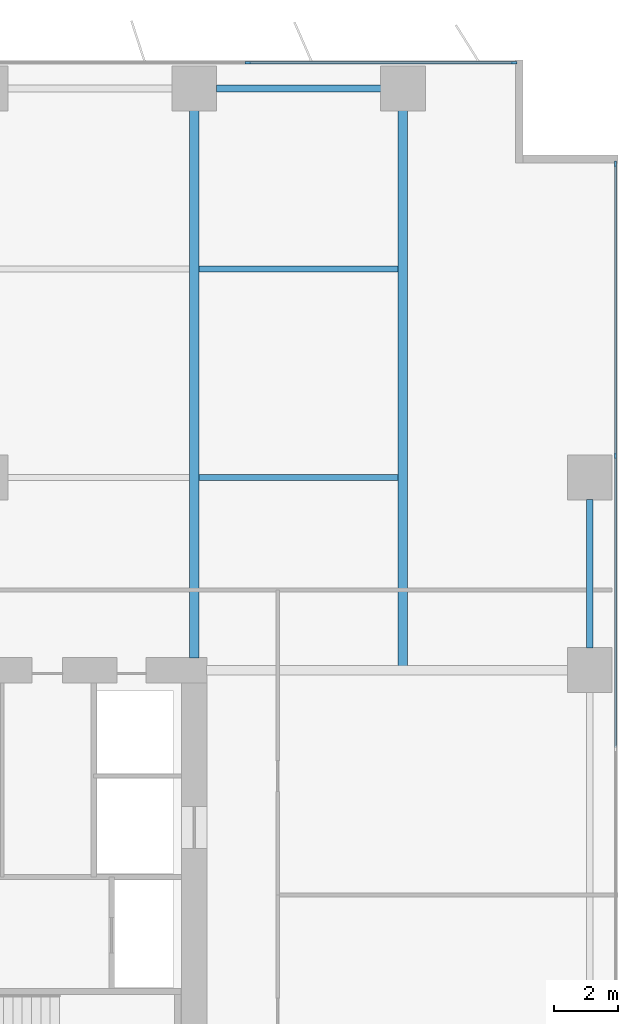
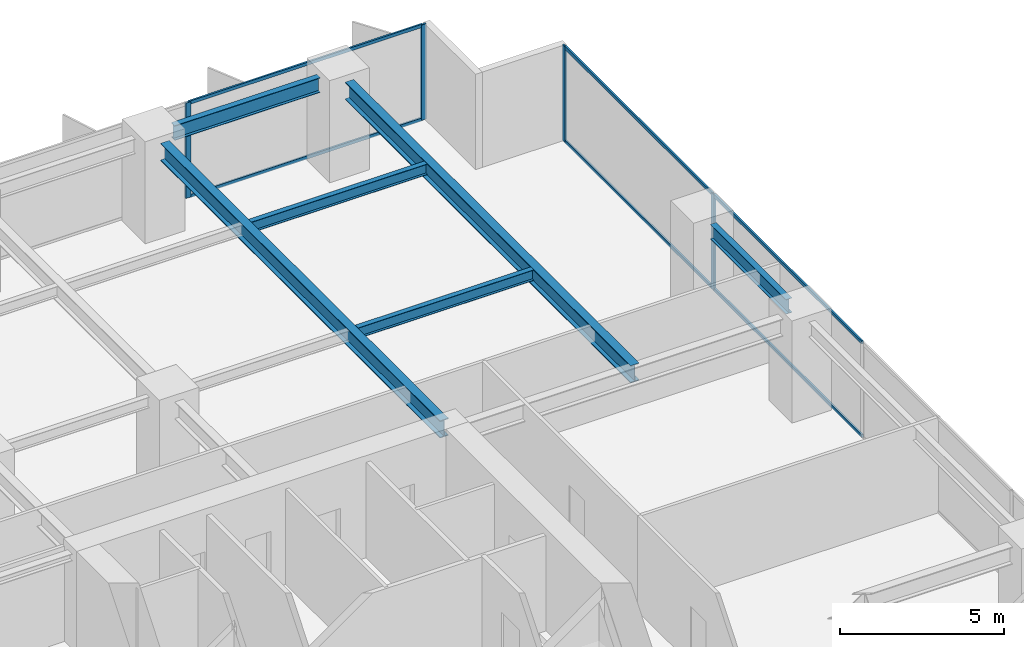
# One storey, part 11 of 20: 10 members, 6 beams, 2 elements without a shape of their own.
"""IFC4 building model written with IfcOpenShell, lengths in metres."""

from ifc_helpers import new_model, si_unit, direction, frame, origin, origin_2d, place, context, subcontext, project, spatial, rectangle, i_section, extrude, material, layer, layer_set, material_profile, profile_set, type_object, element, aggregate, save


model = new_model("IFC4")

# Units and contexts
model_context = context("Model", 3, precision=1e-05, world=origin(), true_north=direction((0.0, 1.0)))
body_context = subcontext(model_context, "Body", "Model", "MODEL_VIEW")
ifc_project = project(units=[si_unit("LENGTHUNIT", "METRE"), si_unit("AREAUNIT", "SQUARE_METRE"), si_unit("VOLUMEUNIT", "CUBIC_METRE"), si_unit("PLANEANGLEUNIT", "RADIAN"), si_unit("MASSUNIT", "GRAM", prefix="KILO")], contexts=[model_context])

# Site, building, storey
site_placement = place(None, origin())
site = spatial("IfcSite", under=ifc_project, at=site_placement, CompositionType="ELEMENT")
building_placement = place(site_placement, origin())
building = spatial("IfcBuilding", under=site, at=building_placement, Name="Putna Gate Headquarters", CompositionType="ELEMENT")
storey_placement = place(building_placement, frame((0.0, 0.0, 27.800048828125)))
storey = spatial("IfcBuildingStorey", under=building, at=storey_placement, Name="L05", CompositionType="ELEMENT", Elevation=27.800048828125)

# Beams
ifc_material_1 = material(Name="Steel S355J2", Category="steel")
ifc_material_profile_1 = material_profile(ifc_material_1, i_section(OverallWidth=0.300048828125, OverallDepth=0.64990234375, WebThickness=0.01611328125, FlangeThickness=0.031005859375, at=origin_2d()), Name="Steel S355J2")
ifc_profile_set_1 = profile_set([ifc_material_profile_1], Name="Steel S355J2")
beam_type_1 = type_object("IfcBeamType", Name="BM-GIRD-Z1-HEB650", PredefinedType="USERDEFINED", material=ifc_profile_set_1)
beam_1_placement = place(storey_placement, frame((65.0, 33.385009765625, 3.224853515625), z_axis=(0.0, 1.0, 0.0), x_axis=(-1.0, 0.0, 0.0)))
element("IfcBeam", 1, at=beam_1_placement, inside=storey, type_object=beam_type_1, Name="L05 North Primary Girder X65", ObjectType="GIRDER", PredefinedType="USERDEFINED", context=body_context, shape_type="SweptSolid", body=[
    extrude(i_section(OverallWidth=0.300048828125, OverallDepth=0.64990234375, WebThickness=0.01611328125, FlangeThickness=0.031005859375, at=origin_2d()), origin(), (0.0, 0.0, 1.0), 17.046875),
])
beam_2_placement = place(storey_placement, frame((71.5, 33.011962890625, 3.224853515625), z_axis=(0.0, 1.0, 0.0), x_axis=(-1.0, 0.0, 0.0)))
element("IfcBeam", 2, at=beam_2_placement, inside=storey, type_object=beam_type_1, Name="L05 North Primary Girder X71", ObjectType="GIRDER", PredefinedType="USERDEFINED", context=body_context, shape_type="SweptSolid", body=[
    extrude(i_section(OverallWidth=0.300048828125, OverallDepth=0.64990234375, WebThickness=0.01611328125, FlangeThickness=0.031005859375, at=origin_2d()), origin(), (0.0, 0.0, 1.0), 17.419921875),
])
ifc_material_profile_2 = material_profile(ifc_material_1, i_section(OverallWidth=0.179931640625, OverallDepth=0.39990234375, WebThickness=0.008544921875, FlangeThickness=0.013427734375, at=origin_2d()), Name="Steel S355J2")
ifc_profile_set_2 = profile_set([ifc_material_profile_2], Name="Steel S355J2")
beam_type_2 = type_object("IfcBeamType", Name="BM-SEC-Z1-IPE400", PredefinedType="BEAM", material=ifc_profile_set_2)
for number, where, z_axis, x_axis, name in (
    (3, (65.154052734375, 39.0, 3.349853515625), (1.0, 0.0, 0.0), (0.0, 1.0, 0.0), "L05 North Secondary Beam 10"),
    (4, (65.154052734375, 45.5, 3.349853515625), (1.0, 0.0, 0.0), (0.0, 1.0, 0.0), "L05 North Secondary Beam 10"),
):
    element("IfcBeam", number, at=place(storey_placement, frame(where, z_axis=z_axis, x_axis=x_axis)), inside=storey, type_object=beam_type_2, Name=name, PredefinedType="BEAM", context=body_context, shape_type="SweptSolid", body=[
        extrude(i_section(OverallWidth=0.179931640625, OverallDepth=0.39990234375, WebThickness=0.008544921875, FlangeThickness=0.013427734375, at=origin_2d()), origin(), (0.0, 0.0, 1.0), 6.19189453125),
    ])
ifc_material_profile_3 = material_profile(ifc_material_1, i_section(OverallWidth=0.2099609375, OverallDepth=0.550048828125, WebThickness=0.010986328125, FlangeThickness=0.01708984375, at=origin_2d()), Name="Steel S355J2")
ifc_profile_set_3 = profile_set([ifc_material_profile_3], Name="Steel S355J2")
beam_type_3 = type_object("IfcBeamType", Name="BM-SPAN-Z1-IPE550", PredefinedType="SPANDREL", material=ifc_profile_set_3)
beam_3_placement = place(storey_placement, frame((65.68798828125, 51.1201171875, 3.27490234375), z_axis=(1.0, 0.0, 0.0), x_axis=(0.0, 1.0, 0.0)))
element("IfcBeam", 5, at=beam_3_placement, inside=storey, type_object=beam_type_3, Name="L05 N Perimeter Spandrel 10", PredefinedType="SPANDREL", context=body_context, shape_type="SweptSolid", body=[
    extrude(i_section(OverallWidth=0.2099609375, OverallDepth=0.550048828125, WebThickness=0.010986328125, FlangeThickness=0.01708984375, at=origin_2d()), origin(), (0.0, 0.0, 1.0), 5.1240234375),
])
beam_4_placement = place(storey_placement, frame((77.320068359375, 33.68798828125, 3.27490234375), z_axis=(0.0, 1.0, 0.0), x_axis=(-1.0, 0.0, 0.0)))
element("IfcBeam", 6, at=beam_4_placement, inside=storey, type_object=beam_type_3, Name="L05 E End Spandrel 3", PredefinedType="SPANDREL", context=body_context, shape_type="SweptSolid", body=[
    extrude(i_section(OverallWidth=0.2099609375, OverallDepth=0.550048828125, WebThickness=0.010986328125, FlangeThickness=0.01708984375, at=origin_2d()), origin(), (0.0, 0.0, 1.0), 4.6240234375),
])

# Curtain wall, members
ifc_material_2 = material(Name="Anodised bronze aluminium curtain wall", Category="aluminium")
ifc_layer = layer(ifc_material_2, 0.179931640625)
ifc_layer_set = layer_set([ifc_layer], Name="Anodised bronze aluminium curtain wall")
curtain_wall_type = type_object("IfcCurtainWallType", Name="CW-SYS-Z1", PredefinedType="USERDEFINED", material=ifc_layer_set)
curtain_wall_1_placement = place(storey_placement, origin())
curtain_wall_1 = element("IfcCurtainWall", 7, at=curtain_wall_1_placement, inside=storey, type_object=curtain_wall_type, Name="L05 North East Curtain Wall", ObjectType="STICK CURTAIN WALL", PredefinedType="USERDEFINED")
ifc_material_3 = material(Name="Anodised bronze aluminium EN AW-6060", Category="aluminium")
ifc_material_profile_4 = material_profile(ifc_material_3, rectangle(XDim=0.070068359375, YDim=0.179931640625, at=origin_2d()), Name="Anodised bronze aluminium EN AW-6060")
ifc_profile_set_4 = profile_set([ifc_material_profile_4], Name="Anodised bronze aluminium EN AW-6060")
member_type_1 = type_object("IfcMemberType", Name="MULL-CWM-1", PredefinedType="MULLION", material=ifc_profile_set_4)
member_1_placement = place(storey_placement, frame((66.666748046875, 51.919921875, 0.0), z_axis=(0.0, 0.0, 1.0), x_axis=(0.0, 1.0, 0.0)))
member_1 = element("IfcMember", 8, at=member_1_placement, type_object=member_type_1, Name="CWS-1 mullion 3", PredefinedType="MULLION", context=body_context, shape_type="SweptSolid", body=[
    extrude(rectangle(XDim=0.070068359375, YDim=0.179931640625, at=origin_2d()), origin(), (0.0, 0.0, 1.0), 3.550048828125),
])
member_2_placement = place(storey_placement, frame((74.965087890625, 51.919921875, 0.0), z_axis=(0.0, 0.0, 1.0), x_axis=(0.0, 1.0, 0.0)))
member_2 = element("IfcMember", 9, at=member_2_placement, type_object=member_type_1, Name="CWS-1 mullion 4", PredefinedType="MULLION", context=body_context, shape_type="SweptSolid", body=[
    extrude(rectangle(XDim=0.070068359375, YDim=0.179931640625, at=origin_2d()), origin(), (0.0, 0.0, 1.0), 3.550048828125),
])

curtain_wall_2_placement = place(storey_placement, origin())
curtain_wall_2 = element("IfcCurtainWall", 10, at=curtain_wall_2_placement, inside=storey, type_object=curtain_wall_type, Name="L05 East Curtain Wall", ObjectType="STICK CURTAIN WALL", PredefinedType="USERDEFINED")
member_3_placement = place(storey_placement, frame((78.1201171875, 39.679931640625, 0.0), z_axis=(0.0, 0.0, 1.0), x_axis=(-1.0, 0.0, 0.0)))
member_3 = element("IfcMember", 11, at=member_3_placement, type_object=member_type_1, Name="CWS-1 mullion 5", PredefinedType="MULLION", context=body_context, shape_type="SweptSolid", body=[
    extrude(rectangle(XDim=0.070068359375, YDim=0.179931640625, at=origin_2d()), origin(), (0.0, 0.0, 1.0), 3.550048828125),
])
member_4_placement = place(storey_placement, frame((78.1201171875, 48.764892578125, 0.0), z_axis=(0.0, 0.0, 1.0), x_axis=(-1.0, 0.0, 0.0)))
member_4 = element("IfcMember", 12, at=member_4_placement, type_object=member_type_1, Name="CWS-1 mullion 6", PredefinedType="MULLION", context=body_context, shape_type="SweptSolid", body=[
    extrude(rectangle(XDim=0.070068359375, YDim=0.179931640625, at=origin_2d()), origin(), (0.0, 0.0, 1.0), 3.550048828125),
])

# Member
ifc_material_profile_5 = material_profile(ifc_material_3, rectangle(XDim=0.06494140625, YDim=0.1201171875, at=origin_2d()), Name="Anodised bronze aluminium EN AW-6060")
ifc_profile_set_5 = profile_set([ifc_material_profile_5], Name="Anodised bronze aluminium EN AW-6060")
member_type_2 = type_object("IfcMemberType", Name="TRAN-CWT-1", PredefinedType="USERDEFINED", material=ifc_profile_set_5)
member_5_placement = place(storey_placement, frame((66.70166015625, 51.919921875, 0.032470703125), z_axis=(1.0, 0.0, 0.0), x_axis=(0.0, 1.0, 0.0)))
member_5 = element("IfcMember", 13, at=member_5_placement, type_object=member_type_2, Name="CWS-1 transom 3.1", ObjectType="TRANSOM", PredefinedType="USERDEFINED", context=body_context, shape_type="SweptSolid", body=[
    extrude(rectangle(XDim=0.06494140625, YDim=0.1201171875, at=origin_2d()), origin(), (0.0, 0.0, 1.0), 8.228271484375),
])

member_6_placement = place(storey_placement, frame((66.70166015625, 51.919921875, 3.517333984375), z_axis=(1.0, 0.0, 0.0), x_axis=(0.0, 1.0, 0.0)))
member_6 = element("IfcMember", 14, at=member_6_placement, type_object=member_type_2, Name="CWS-1 transom 3.2", ObjectType="TRANSOM", PredefinedType="USERDEFINED", context=body_context, shape_type="SweptSolid", body=[
    extrude(rectangle(XDim=0.06494140625, YDim=0.1201171875, at=origin_2d()), origin(), (0.0, 0.0, 1.0), 8.228271484375),
])

aggregate(curtain_wall_1, [member_1, member_2, member_5, member_6])

member_7_placement = place(storey_placement, frame((78.1201171875, 30.594970703125, 0.032470703125), z_axis=(0.0, 1.0, 0.0), x_axis=(-1.0, 0.0, 0.0)))
member_7 = element("IfcMember", 15, at=member_7_placement, type_object=member_type_2, Name="CWS-1 transom 4.1", ObjectType="TRANSOM", PredefinedType="USERDEFINED", context=body_context, shape_type="SweptSolid", body=[
    extrude(rectangle(XDim=0.06494140625, YDim=0.1201171875, at=origin_2d()), origin(), (0.0, 0.0, 1.0), 9.050048828125),
])

member_8_placement = place(storey_placement, frame((78.1201171875, 30.594970703125, 3.517333984375), z_axis=(0.0, 1.0, 0.0), x_axis=(-1.0, 0.0, 0.0)))
member_8 = element("IfcMember", 16, at=member_8_placement, type_object=member_type_2, Name="CWS-1 transom 4.2", ObjectType="TRANSOM", PredefinedType="USERDEFINED", context=body_context, shape_type="SweptSolid", body=[
    extrude(rectangle(XDim=0.06494140625, YDim=0.1201171875, at=origin_2d()), origin(), (0.0, 0.0, 1.0), 9.050048828125),
])

member_9_placement = place(storey_placement, frame((78.1201171875, 39.715087890625, 0.032470703125), z_axis=(0.0, 1.0, 0.0), x_axis=(-1.0, 0.0, 0.0)))
member_9 = element("IfcMember", 17, at=member_9_placement, type_object=member_type_2, Name="CWS-1 transom 5.1", ObjectType="TRANSOM", PredefinedType="USERDEFINED", context=body_context, shape_type="SweptSolid", body=[
    extrude(rectangle(XDim=0.06494140625, YDim=0.1201171875, at=origin_2d()), origin(), (0.0, 0.0, 1.0), 9.014892578125),
])

member_10_placement = place(storey_placement, frame((78.1201171875, 39.715087890625, 3.517333984375), z_axis=(0.0, 1.0, 0.0), x_axis=(-1.0, 0.0, 0.0)))
member_10 = element("IfcMember", 18, at=member_10_placement, type_object=member_type_2, Name="CWS-1 transom 5.2", ObjectType="TRANSOM", PredefinedType="USERDEFINED", context=body_context, shape_type="SweptSolid", body=[
    extrude(rectangle(XDim=0.06494140625, YDim=0.1201171875, at=origin_2d()), origin(), (0.0, 0.0, 1.0), 9.014892578125),
])

aggregate(curtain_wall_2, [member_3, member_4, member_7, member_8, member_9, member_10])

save(model, "model.ifc")
